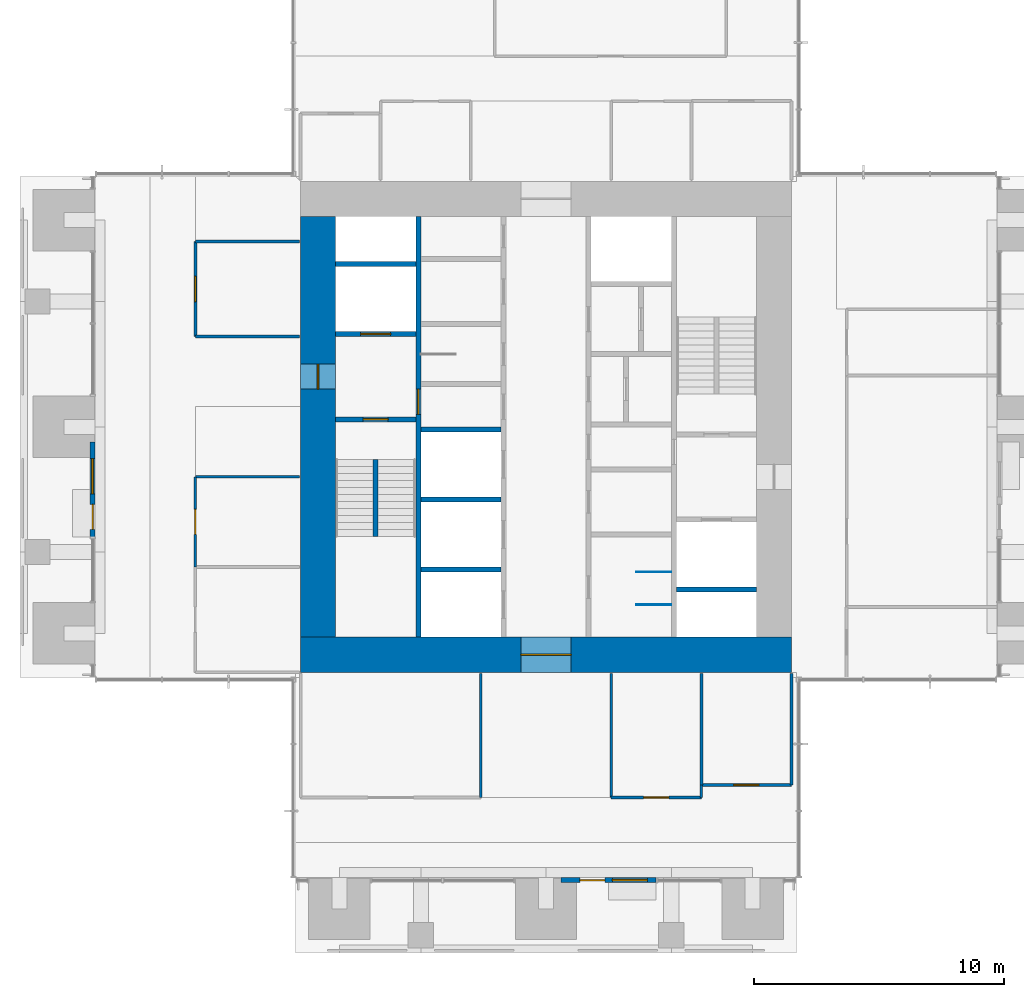
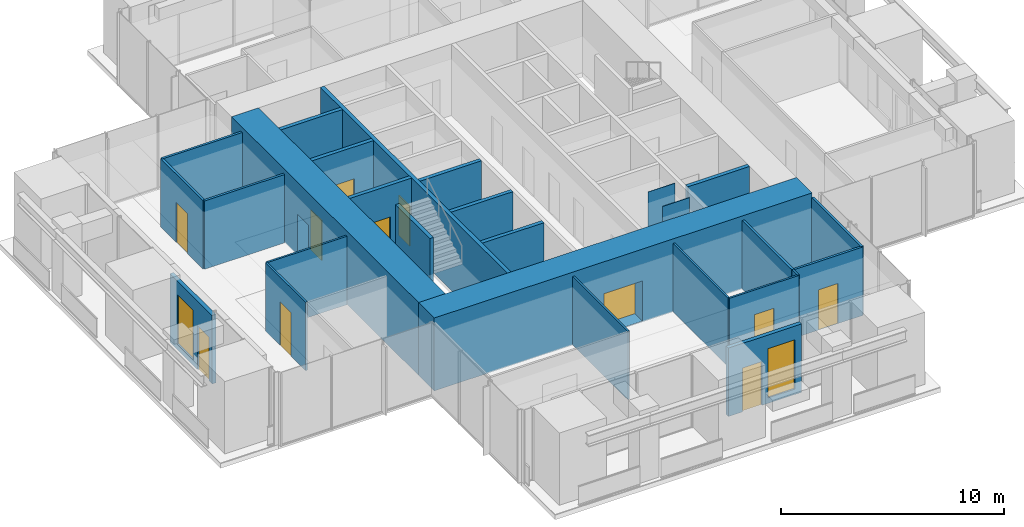
# One storey, part 12 of 17: 27 walls, 11 doors, 2 windows, 13 openings.
"""IFC4 building model written with IfcOpenShell, lengths in metres."""

from ifc_helpers import new_model, si_unit, direction, frame, frame_2d, origin, place, context, subcontext, project, spatial, rectangle, extrude, material, layer, layer_set, type_object, element, fill, save


model = new_model("IFC4")

# Units and contexts
model_context = context("Model", 3, precision=1e-05, world=origin(), true_north=direction((0.0, 1.0)))
body_context = subcontext(model_context, "Body", "Model", "MODEL_VIEW")
ifc_project = project(units=[si_unit("LENGTHUNIT", "METRE"), si_unit("AREAUNIT", "SQUARE_METRE"), si_unit("VOLUMEUNIT", "CUBIC_METRE"), si_unit("PLANEANGLEUNIT", "RADIAN"), si_unit("MASSUNIT", "GRAM", prefix="KILO")], contexts=[model_context])

# Site, building, storey
site_placement = place(None, origin())
site = spatial("IfcSite", under=ifc_project, at=site_placement, CompositionType="ELEMENT")
building_placement = place(site_placement, origin())
building = spatial("IfcBuilding", under=site, at=building_placement, Name="Svetlomir Tower", CompositionType="ELEMENT")
storey_placement = place(building_placement, frame((0.0, 0.0, 178.5)))
storey = spatial("IfcBuildingStorey", under=building, at=storey_placement, Name="L42", CompositionType="ELEMENT", Elevation=178.5)

# Wall, openings, door, window
ifc_material_1 = material(Name="Bronze anodised aluminium glazed screen", Category="aluminium")
ifc_layer_1 = layer(ifc_material_1, 0.199951171875)
ifc_layer_set_1 = layer_set([ifc_layer_1], Name="Bronze anodised aluminium glazed screen")
wall_type_1 = type_object("IfcWallType", Name="BALCONY SCREEN WALL 200", PredefinedType="USERDEFINED", material=ifc_layer_set_1)
wall_1_placement = place(storey_placement, frame((21.60009765625, 2.89990234375, 0.0), z_axis=(0.0, 0.0, 1.0), x_axis=(1.0, 0.0, 0.0)))
wall_1 = element("IfcWall", 1, at=wall_1_placement, inside=storey, type_object=wall_type_1, Name="Balcony screen S", ObjectType="GLAZED SCREEN", PredefinedType="USERDEFINED", context=body_context, shape_type="SweptSolid", body=[
    extrude(rectangle(XDim=3.7998046875, YDim=0.199951171875, at=frame_2d((1.89990234375, 0.0))), origin(), (0.0, 0.0, 1.0), 3.75),
])
opening_1_placement = place(wall_1_placement, frame((0.75, 0.0, 0.0)))
opening_1 = element("IfcOpeningElement", 2, at=opening_1_placement, cuts=wall_1, Name="Opening BD", PredefinedType="OPENING", context=body_context, shape_type="SweptSolid", body=[
    extrude(rectangle(XDim=1.0, YDim=2.39990234375, at=frame_2d((0.5, 1.199951171875))), frame((0.0, 0.10986328125, 0.0), z_axis=(0.0, -1.0, 0.0), x_axis=(1.0, 0.0, 0.0)), (0.0, 0.0, 1.0), 0.219970703125),
])
opening_2_placement = place(wall_1_placement, frame((2.050048828125, 0.0, 0.300048828125)))
opening_2 = element("IfcOpeningElement", 3, at=opening_2_placement, cuts=wall_1, Name="Opening WS2", PredefinedType="OPENING", context=body_context, shape_type="SweptSolid", body=[
    extrude(rectangle(XDim=1.39990234375, YDim=2.699951171875, at=frame_2d((0.699951171875, 1.35009765625))), frame((0.0, 0.10986328125, 0.0), z_axis=(0.0, -1.0, 0.0), x_axis=(1.0, 0.0, 0.0)), (0.0, 0.0, 1.0), 0.219970703125),
])
ifc_material_2 = material(Name="Bronze anodised aluminium glazed door", Category="aluminium")
door_type_1 = type_object("IfcDoorType", Name="BALCONY DOOR BD 1000x2400", OperationType="SINGLE_SWING_LEFT", PredefinedType="DOOR", material=ifc_material_2)
door_1_placement = place(opening_1_placement, origin())
door_1 = element("IfcDoor", 4, at=door_1_placement, inside=storey, type_object=door_type_1, Name="Balcony screen S door", OperationType="SINGLE_SWING_LEFT", OverallHeight=2.39990234375, OverallWidth=1.0, PredefinedType="DOOR", context=body_context, shape_type="SweptSolid", body=[
    extrude(rectangle(XDim=1.0, YDim=2.39990234375, at=frame_2d((0.5, 1.199951171875))), frame((0.0, 0.02490234375, 0.0), z_axis=(0.0, -1.0, 0.0), x_axis=(1.0, 0.0, 0.0)), (0.0, 0.0, 1.0), 0.050048828125),
])
fill(opening_1, door_1)
ifc_material_3 = material(Name="Bronze anodised aluminium window", Category="aluminium")
window_type = type_object("IfcWindowType", Name="SCREEN WINDOW WS2 1400x2700", PartitioningType="SINGLE_PANEL", PredefinedType="WINDOW", material=ifc_material_3)
window_1_placement = place(opening_2_placement, origin())
window_1 = element("IfcWindow", 5, at=window_1_placement, inside=storey, type_object=window_type, Name="Balcony screen S window 1", OverallHeight=2.699951171875, OverallWidth=1.39990234375, PartitioningType="SINGLE_PANEL", PredefinedType="WINDOW", context=body_context, shape_type="SweptSolid", body=[
    extrude(rectangle(XDim=1.39990234375, YDim=2.699951171875, at=frame_2d((0.699951171875, 1.35009765625))), frame((0.0, 0.030029296875, 0.0), z_axis=(0.0, -1.0, 0.0), x_axis=(1.0, 0.0, 0.0)), (0.0, 0.0, 1.0), 0.06005859375),
])
fill(opening_2, window_1)

wall_2_placement = place(storey_placement, frame((2.89990234375, 20.39990234375, 0.0), z_axis=(0.0, 0.0, 1.0), x_axis=(0.0, -1.0, 0.0)))
wall_2 = element("IfcWall", 6, at=wall_2_placement, inside=storey, type_object=wall_type_1, Name="Balcony screen W", ObjectType="GLAZED SCREEN", PredefinedType="USERDEFINED", context=body_context, shape_type="SweptSolid", body=[
    extrude(rectangle(XDim=3.7998046875, YDim=0.199951171875, at=frame_2d((1.89990234375, 0.0))), origin(), (0.0, 0.0, 1.0), 3.75),
])
opening_3_placement = place(wall_2_placement, frame((2.5, 0.0, 0.0)))
opening_3 = element("IfcOpeningElement", 7, at=opening_3_placement, cuts=wall_2, Name="Opening BD", PredefinedType="OPENING", context=body_context, shape_type="SweptSolid", body=[
    extrude(rectangle(XDim=1.0, YDim=2.39990234375, at=frame_2d((0.5, 1.199951171875))), frame((0.0, 0.10986328125, 0.0), z_axis=(0.0, -1.0, 0.0), x_axis=(1.0, 0.0, 0.0)), (0.0, 0.0, 1.0), 0.219970703125),
])
opening_4_placement = place(wall_2_placement, frame((0.675048828125, 0.0, 0.300048828125)))
opening_4 = element("IfcOpeningElement", 8, at=opening_4_placement, cuts=wall_2, Name="Opening WS2", PredefinedType="OPENING", context=body_context, shape_type="SweptSolid", body=[
    extrude(rectangle(XDim=1.39990234375, YDim=2.699951171875, at=frame_2d((0.699951171875, 1.35009765625))), frame((0.0, 0.10986328125, 0.0), z_axis=(0.0, -1.0, 0.0), x_axis=(1.0, 0.0, 0.0)), (0.0, 0.0, 1.0), 0.219970703125),
])
door_2_placement = place(opening_3_placement, origin())
door_2 = element("IfcDoor", 9, at=door_2_placement, inside=storey, type_object=door_type_1, Name="Balcony screen W door", OperationType="SINGLE_SWING_LEFT", OverallHeight=2.39990234375, OverallWidth=1.0, PredefinedType="DOOR", context=body_context, shape_type="SweptSolid", body=[
    extrude(rectangle(XDim=1.0, YDim=2.39990234375, at=frame_2d((0.5, 1.199951171875))), frame((0.0, 0.02490234375, 0.0), z_axis=(0.0, -1.0, 0.0), x_axis=(1.0, 0.0, 0.0)), (0.0, 0.0, 1.0), 0.050048828125),
])
fill(opening_3, door_2)
window_2_placement = place(opening_4_placement, origin())
window_2 = element("IfcWindow", 10, at=window_2_placement, inside=storey, type_object=window_type, Name="Balcony screen W window 1", OverallHeight=2.699951171875, OverallWidth=1.39990234375, PartitioningType="SINGLE_PANEL", PredefinedType="WINDOW", context=body_context, shape_type="SweptSolid", body=[
    extrude(rectangle(XDim=1.39990234375, YDim=2.699951171875, at=frame_2d((0.699951171875, 1.35009765625))), frame((0.0, 0.030029296875, 0.0), z_axis=(0.0, -1.0, 0.0), x_axis=(1.0, 0.0, 0.0)), (0.0, 0.0, 1.0), 0.06005859375),
])
fill(opening_4, window_2)

# Wall, opening, door
ifc_material_4 = material(Name="Concrete C60/75", Category="concrete")
ifc_layer_2 = layer(ifc_material_4, 0.199951171875)
ifc_layer_set_2 = layer_set([ifc_layer_2], Name="Concrete C60/75")
wall_type_2 = type_object("IfcWallType", Name="CORE INNER WALL 200", PredefinedType="SHEAR", material=ifc_layer_set_2)
wall_3_placement = place(storey_placement, frame((15.89990234375, 12.60009765625, -0.050048828125), z_axis=(0.0, 0.0, 1.0), x_axis=(0.0, 1.0, 0.0)))
wall_3 = element("IfcWall", 11, at=wall_3_placement, inside=storey, type_object=wall_type_2, Name="Core inner wall 15.9 L42", PredefinedType="SHEAR", context=body_context, shape_type="SweptSolid", body=[
    extrude(rectangle(XDim=16.7998046875, YDim=0.199951171875, at=frame_2d((8.39990234375, 0.0))), origin(), (0.0, 0.0, 1.0), 4.0),
])
opening_5_placement = place(wall_3_placement, frame((8.89990234375, 0.0, 0.050048828125)))
opening_5 = element("IfcOpeningElement", 12, at=opening_5_placement, cuts=wall_3, Name="Opening DF", PredefinedType="OPENING", context=body_context, shape_type="SweptSolid", body=[
    extrude(rectangle(XDim=1.0, YDim=2.199951171875, at=frame_2d((0.5, 1.10009765625))), frame((0.0, 0.10986328125, 0.0), z_axis=(0.0, -1.0, 0.0), x_axis=(1.0, 0.0, 0.0)), (0.0, 0.0, 1.0), 0.219970703125),
])
ifc_material_5 = material(Name="Steel fire door", Category="steel")
door_type_2 = type_object("IfcDoorType", Name="DOOR DF 1000x2200", OperationType="SINGLE_SWING_LEFT", PredefinedType="DOOR", material=ifc_material_5)
door_3_placement = place(opening_5_placement, origin())
door_3 = element("IfcDoor", 13, at=door_3_placement, inside=storey, type_object=door_type_2, Name="Core corridor west door L42", OperationType="SINGLE_SWING_LEFT", OverallHeight=2.199951171875, OverallWidth=1.0, PredefinedType="DOOR", context=body_context, shape_type="SweptSolid", body=[
    extrude(rectangle(XDim=1.0, YDim=2.199951171875, at=frame_2d((0.5, 1.10009765625))), frame((0.0, 0.02490234375, 0.0), z_axis=(0.0, -1.0, 0.0), x_axis=(1.0, 0.0, 0.0)), (0.0, 0.0, 1.0), 0.050048828125),
])
fill(opening_5, door_3)

wall_4_placement = place(storey_placement, frame((12.60009765625, 21.300048828125, -0.050048828125), z_axis=(0.0, 0.0, 1.0), x_axis=(1.0, 0.0, 0.0)))
wall_4 = element("IfcWall", 14, at=wall_4_placement, inside=storey, type_object=wall_type_2, Name="Core inner wall 12.6-15.8/21.3 L42", PredefinedType="SHEAR", context=body_context, shape_type="SweptSolid", body=[
    extrude(rectangle(XDim=3.199951171875, YDim=0.199951171875, at=frame_2d((1.60009765625, 0.0))), origin(), (0.0, 0.0, 1.0), 4.0),
])
opening_6_placement = place(wall_4_placement, frame((1.10009765625, 0.0, 0.050048828125)))
opening_6 = element("IfcOpeningElement", 15, at=opening_6_placement, cuts=wall_4, Name="Opening DF", PredefinedType="OPENING", context=body_context, shape_type="SweptSolid", body=[
    extrude(rectangle(XDim=1.0, YDim=2.199951171875, at=frame_2d((0.5, 1.10009765625))), frame((0.0, 0.10986328125, 0.0), z_axis=(0.0, -1.0, 0.0), x_axis=(1.0, 0.0, 0.0)), (0.0, 0.0, 1.0), 0.219970703125),
])
door_4_placement = place(opening_6_placement, origin())
door_4 = element("IfcDoor", 16, at=door_4_placement, inside=storey, type_object=door_type_2, Name="Stair S1 door L42", OperationType="SINGLE_SWING_LEFT", OverallHeight=2.199951171875, OverallWidth=1.0, PredefinedType="DOOR", context=body_context, shape_type="SweptSolid", body=[
    extrude(rectangle(XDim=1.0, YDim=2.199951171875, at=frame_2d((0.5, 1.10009765625))), frame((0.0, 0.02490234375, 0.0), z_axis=(0.0, -1.0, 0.0), x_axis=(1.0, 0.0, 0.0)), (0.0, 0.0, 1.0), 0.050048828125),
])
fill(opening_6, door_4)

wall_5_placement = place(storey_placement, frame((12.60009765625, 24.699951171875, -0.050048828125), z_axis=(0.0, 0.0, 1.0), x_axis=(1.0, 0.0, 0.0)))
wall_5 = element("IfcWall", 17, at=wall_5_placement, inside=storey, type_object=wall_type_2, Name="Core inner wall 12.6-15.8/24.7 L42", PredefinedType="SHEAR", context=body_context, shape_type="SweptSolid", body=[
    extrude(rectangle(XDim=3.199951171875, YDim=0.199951171875, at=frame_2d((1.60009765625, 0.0))), origin(), (0.0, 0.0, 1.0), 4.0),
])
opening_7_placement = place(wall_5_placement, frame((1.0, 0.0, 0.050048828125)))
opening_7 = element("IfcOpeningElement", 18, at=opening_7_placement, cuts=wall_5, Name="Opening LD3", PredefinedType="OPENING", context=body_context, shape_type="SweptSolid", body=[
    extrude(rectangle(XDim=1.199951171875, YDim=2.199951171875, at=frame_2d((0.60009765625, 1.10009765625))), frame((0.0, 0.10986328125, 0.0), z_axis=(0.0, -1.0, 0.0), x_axis=(1.0, 0.0, 0.0)), (0.0, 0.0, 1.0), 0.219970703125),
])
ifc_material_6 = material(Name="Stainless steel fire-rated landing door", Category="steel")
door_type_3 = type_object("IfcDoorType", Name="FIREFIGHTING LIFT LANDING DOOR LD3 1200x2200", OperationType="DOUBLE_DOOR_SLIDING", PredefinedType="DOOR", material=ifc_material_6)
door_5_placement = place(opening_7_placement, origin())
door_5 = element("IfcDoor", 19, at=door_5_placement, inside=storey, type_object=door_type_3, Name="Landing door lift FL1 L42", OperationType="DOUBLE_DOOR_SLIDING", OverallHeight=2.199951171875, OverallWidth=1.199951171875, PredefinedType="DOOR", context=body_context, shape_type="SweptSolid", body=[
    extrude(rectangle(XDim=1.199951171875, YDim=2.199951171875, at=frame_2d((0.60009765625, 1.10009765625))), frame((0.0, 0.02490234375, 0.0), z_axis=(0.0, -1.0, 0.0), x_axis=(1.0, 0.0, 0.0)), (0.0, 0.0, 1.0), 0.050048828125),
])
fill(opening_7, door_5)

# Walls
for number, where, z_axis, x_axis, name in (
    (20, (12.60009765625, 27.5, -0.050048828125), (0.0, 0.0, 1.0), (1.0, 0.0, 0.0), "Core inner wall 12.6-15.8/27.5 L42"),
    (21, (16.0, 15.300048828125, -0.050048828125), (0.0, 0.0, 1.0), (1.0, 0.0, 0.0), "Core inner wall 16-19.2/15.3 L42"),
    (22, (16.0, 18.10009765625, -0.050048828125), (0.0, 0.0, 1.0), (1.0, 0.0, 0.0), "Core inner wall 16-19.2/18.1 L42"),
    (23, (16.0, 20.89990234375, -0.050048828125), (0.0, 0.0, 1.0), (1.0, 0.0, 0.0), "Core inner wall 16-19.2/20.9 L42"),
    (24, (26.199951171875, 14.5, -0.050048828125), (0.0, 0.0, 1.0), (1.0, 0.0, 0.0), "Core inner wall 26.2-29.4/14.5 L42"),
):
    element("IfcWall", number, at=place(storey_placement, frame(where, z_axis=z_axis, x_axis=x_axis)), inside=storey, type_object=wall_type_2, Name=name, PredefinedType="SHEAR", context=body_context, shape_type="SweptSolid", body=[
        extrude(rectangle(XDim=3.199951171875, YDim=0.199951171875, at=frame_2d((1.60009765625, 0.0))), origin(), (0.0, 0.0, 1.0), 4.0),
    ])

# Wall, opening, door
ifc_material_7 = material(Name="Concrete C60/75", Category="concrete")
ifc_layer_3 = layer(ifc_material_7, 1.39990234375)
ifc_layer_set_3 = layer_set([ifc_layer_3], Name="Concrete C60/75")
wall_type_3 = type_object("IfcWallType", Name="CORE WALL 1400", PredefinedType="SHEAR", material=ifc_layer_set_3)
wall_6_placement = place(storey_placement, frame((11.199951171875, 11.89990234375, -0.050048828125), z_axis=(0.0, 0.0, 1.0), x_axis=(1.0, 0.0, 0.0)))
wall_6 = element("IfcWall", 25, at=wall_6_placement, inside=storey, type_object=wall_type_3, Name="Core wall south L42", PredefinedType="SHEAR", context=body_context, shape_type="SweptSolid", body=[
    extrude(rectangle(XDim=19.60009765625, YDim=1.39990234375, at=frame_2d((9.800048828125, 0.0))), origin(), (0.0, 0.0, 1.0), 4.0),
])
opening_8_placement = place(wall_6_placement, frame((8.800048828125, 0.0, 0.050048828125)))
opening_8 = element("IfcOpeningElement", 26, at=opening_8_placement, cuts=wall_6, Name="Opening DL", PredefinedType="OPENING", context=body_context, shape_type="SweptSolid", body=[
    extrude(rectangle(XDim=2.0, YDim=2.199951171875, at=frame_2d((1.0, 1.10009765625))), frame((0.0, 0.7099609375, 0.0), z_axis=(0.0, -1.0, 0.0), x_axis=(1.0, 0.0, 0.0)), (0.0, 0.0, 1.0), 1.419921875),
])
ifc_material_8 = material(Name="Steel fire door", Category="steel")
door_type_4 = type_object("IfcDoorType", Name="DOOR DL 2000x2200", OperationType="DOUBLE_DOOR_SINGLE_SWING", PredefinedType="DOOR", material=ifc_material_8)
door_6_placement = place(opening_8_placement, origin())
door_6 = element("IfcDoor", 27, at=door_6_placement, inside=storey, type_object=door_type_4, Name="Lift lobby south door L42", OperationType="DOUBLE_DOOR_SINGLE_SWING", OverallHeight=2.199951171875, OverallWidth=2.0, PredefinedType="DOOR", context=body_context, shape_type="SweptSolid", body=[
    extrude(rectangle(XDim=2.0, YDim=2.199951171875, at=frame_2d((1.0, 1.10009765625))), frame((0.0, 0.02490234375, 0.0), z_axis=(0.0, -1.0, 0.0), x_axis=(1.0, 0.0, 0.0)), (0.0, 0.0, 1.0), 0.050048828125),
])
fill(opening_8, door_6)

wall_7_placement = place(storey_placement, frame((11.89990234375, 12.60009765625, -0.050048828125), z_axis=(0.0, 0.0, 1.0), x_axis=(0.0, 1.0, 0.0)))
wall_7 = element("IfcWall", 28, at=wall_7_placement, inside=storey, type_object=wall_type_3, Name="Core wall west L42", PredefinedType="SHEAR", context=body_context, shape_type="SweptSolid", body=[
    extrude(rectangle(XDim=16.7998046875, YDim=1.39990234375, at=frame_2d((8.39990234375, 0.0))), origin(), (0.0, 0.0, 1.0), 4.0),
])
opening_9_placement = place(wall_7_placement, frame((9.89990234375, 0.0, 0.050048828125)))
opening_9 = element("IfcOpeningElement", 29, at=opening_9_placement, cuts=wall_7, Name="Opening DF", PredefinedType="OPENING", context=body_context, shape_type="SweptSolid", body=[
    extrude(rectangle(XDim=1.0, YDim=2.199951171875, at=frame_2d((0.5, 1.10009765625))), frame((0.0, 0.7099609375, 0.0), z_axis=(0.0, -1.0, 0.0), x_axis=(1.0, 0.0, 0.0)), (0.0, 0.0, 1.0), 1.419921875),
])
door_7_placement = place(opening_9_placement, origin())
door_7 = element("IfcDoor", 30, at=door_7_placement, inside=storey, type_object=door_type_2, Name="Firefighting lobby west door L42", OperationType="SINGLE_SWING_LEFT", OverallHeight=2.199951171875, OverallWidth=1.0, PredefinedType="DOOR", context=body_context, shape_type="SweptSolid", body=[
    extrude(rectangle(XDim=1.0, YDim=2.199951171875, at=frame_2d((0.5, 1.10009765625))), frame((0.0, 0.02490234375, 0.0), z_axis=(0.0, -1.0, 0.0), x_axis=(1.0, 0.0, 0.0)), (0.0, 0.0, 1.0), 0.050048828125),
])
fill(opening_9, door_7)

ifc_material_9 = material(Name="Framed laminated glass partition", Category="glass")
ifc_layer_4 = layer(ifc_material_9, 0.10009765625)
ifc_layer_set_4 = layer_set([ifc_layer_4], Name="Framed laminated glass partition")
wall_type_4 = type_object("IfcWallType", Name="GLAZED PARTITION 100", PredefinedType="PARTITIONING", material=ifc_layer_set_4)
wall_8_placement = place(storey_placement, frame((7.0, 15.39990234375, 0.0), z_axis=(0.0, 0.0, 1.0), x_axis=(0.0, 1.0, 0.0)))
wall_8 = element("IfcWall", 31, at=wall_8_placement, inside=storey, type_object=wall_type_4, Name="Glazed partition L42", PredefinedType="PARTITIONING", context=body_context, shape_type="SweptSolid", body=[
    extrude(rectangle(XDim=3.60009765625, YDim=0.10009765625, at=frame_2d((1.800048828125, 0.0))), origin(), (0.0, 0.0, 1.0), 3.75),
])
opening_10_placement = place(wall_8_placement, frame((1.300048828125, 0.0, 0.0)))
opening_10 = element("IfcOpeningElement", 32, at=opening_10_placement, cuts=wall_8, Name="Opening DG", PredefinedType="OPENING", context=body_context, shape_type="SweptSolid", body=[
    extrude(rectangle(XDim=1.0, YDim=2.39990234375, at=frame_2d((0.5, 1.199951171875))), frame((0.0, 0.06005859375, 0.0), z_axis=(0.0, -1.0, 0.0), x_axis=(1.0, 0.0, 0.0)), (0.0, 0.0, 1.0), 0.1201171875),
])
ifc_material_10 = material(Name="Framed laminated glass door", Category="glass")
door_type_5 = type_object("IfcDoorType", Name="GLAZED DOOR DG 1000x2400", OperationType="SINGLE_SWING_LEFT", PredefinedType="DOOR", material=ifc_material_10)
door_8_placement = place(opening_10_placement, origin())
door_8 = element("IfcDoor", 33, at=door_8_placement, inside=storey, type_object=door_type_5, Name="Focus room 2 door L42", OperationType="SINGLE_SWING_RIGHT", OverallHeight=2.39990234375, OverallWidth=1.0, PredefinedType="DOOR", context=body_context, shape_type="SweptSolid", body=[
    extrude(rectangle(XDim=1.0, YDim=2.39990234375, at=frame_2d((0.5, 1.199951171875))), frame((0.0, 0.02490234375, 0.0), z_axis=(0.0, -1.0, 0.0), x_axis=(1.0, 0.0, 0.0)), (0.0, 0.0, 1.0), 0.050048828125),
])
fill(opening_10, door_8)

# Walls
wall_9_placement = place(storey_placement, frame((7.0, 19.0, 0.0), z_axis=(0.0, 0.0, 1.0), x_axis=(1.0, 0.0, 0.0)))
element("IfcWall", 34, at=wall_9_placement, inside=storey, type_object=wall_type_4, Name="Glazed partition L42", PredefinedType="PARTITIONING", context=body_context, shape_type="SweptSolid", body=[
    extrude(rectangle(XDim=4.14990234375, YDim=0.10009765625, at=frame_2d((2.074951171875, 0.0))), origin(), (0.0, 0.0, 1.0), 3.75),
])
for number, where, z_axis, x_axis, name in (
    (35, (18.39990234375, 6.199951171875, 0.0), (0.0, 0.0, 1.0), (0.0, 1.0, 0.0), "Glazed partition L42"),
    (36, (23.60009765625, 6.199951171875, 0.0), (0.0, 0.0, 1.0), (0.0, 1.0, 0.0), "Glazed partition L42"),
):
    element("IfcWall", number, at=place(storey_placement, frame(where, z_axis=z_axis, x_axis=x_axis)), inside=storey, type_object=wall_type_4, Name=name, PredefinedType="PARTITIONING", context=body_context, shape_type="SweptSolid", body=[
        extrude(rectangle(XDim=4.949951171875, YDim=0.10009765625, at=frame_2d((2.47509765625, 0.0))), origin(), (0.0, 0.0, 1.0), 3.75),
    ])

# Wall, opening, door
wall_10_placement = place(storey_placement, frame((23.60009765625, 6.199951171875, 0.0), z_axis=(0.0, 0.0, 1.0), x_axis=(1.0, 0.0, 0.0)))
wall_10 = element("IfcWall", 37, at=wall_10_placement, inside=storey, type_object=wall_type_4, Name="Glazed partition L42", PredefinedType="PARTITIONING", context=body_context, shape_type="SweptSolid", body=[
    extrude(rectangle(XDim=3.599853515625, YDim=0.10009765625, at=frame_2d((1.7998046875, 0.0))), origin(), (0.0, 0.0, 1.0), 3.75),
])
opening_11_placement = place(wall_10_placement, frame((1.300048828125, 0.0, 0.0)))
opening_11 = element("IfcOpeningElement", 38, at=opening_11_placement, cuts=wall_10, Name="Opening DG", PredefinedType="OPENING", context=body_context, shape_type="SweptSolid", body=[
    extrude(rectangle(XDim=1.0, YDim=2.39990234375, at=frame_2d((0.5, 1.199951171875))), frame((0.0, 0.06005859375, 0.0), z_axis=(0.0, -1.0, 0.0), x_axis=(1.0, 0.0, 0.0)), (0.0, 0.0, 1.0), 0.1201171875),
])
door_9_placement = place(opening_11_placement, origin())
door_9 = element("IfcDoor", 39, at=door_9_placement, inside=storey, type_object=door_type_5, Name="Focus room 1 door L42", OperationType="SINGLE_SWING_LEFT", OverallHeight=2.39990234375, OverallWidth=1.0, PredefinedType="DOOR", context=body_context, shape_type="SweptSolid", body=[
    extrude(rectangle(XDim=1.0, YDim=2.39990234375, at=frame_2d((0.5, 1.199951171875))), frame((0.0, 0.02490234375, 0.0), z_axis=(0.0, -1.0, 0.0), x_axis=(1.0, 0.0, 0.0)), (0.0, 0.0, 1.0), 0.050048828125),
])
fill(opening_11, door_9)

# Wall
wall_11_placement = place(storey_placement, frame((27.199951171875, 6.199951171875, 0.0), z_axis=(0.0, 0.0, 1.0), x_axis=(0.0, 1.0, 0.0)))
element("IfcWall", 40, at=wall_11_placement, inside=storey, type_object=wall_type_4, Name="Glazed partition L42", PredefinedType="PARTITIONING", context=body_context, shape_type="SweptSolid", body=[
    extrude(rectangle(XDim=0.5, YDim=0.10009765625, at=frame_2d((0.25, 0.0))), origin(), (0.0, 0.0, 1.0), 3.75),
])

# Wall, opening, door
ifc_material_11 = material(Name="Gypsum board on steel studs", Category="steel")
ifc_layer_5 = layer(ifc_material_11, 0.1201171875)
ifc_layer_set_5 = layer_set([ifc_layer_5], Name="Gypsum board on steel studs")
wall_type_5 = type_object("IfcWallType", Name="PARTITION 120", PredefinedType="PARTITIONING", material=ifc_layer_set_5)
wall_12_placement = place(storey_placement, frame((7.0, 24.60009765625, 0.0), z_axis=(0.0, 0.0, 1.0), x_axis=(0.0, 1.0, 0.0)))
wall_12 = element("IfcWall", 41, at=wall_12_placement, inside=storey, type_object=wall_type_5, Name="Partition L42", PredefinedType="PARTITIONING", context=body_context, shape_type="SweptSolid", body=[
    extrude(rectangle(XDim=3.7998046875, YDim=0.1201171875, at=frame_2d((1.89990234375, 0.0))), origin(), (0.0, 0.0, 1.0), 3.75),
])
opening_12_placement = place(wall_12_placement, frame((1.39990234375, 0.0, 0.0)))
opening_12 = element("IfcOpeningElement", 42, at=opening_12_placement, cuts=wall_12, Name="Opening DR", PredefinedType="OPENING", context=body_context, shape_type="SweptSolid", body=[
    extrude(rectangle(XDim=1.0, YDim=2.199951171875, at=frame_2d((0.5, 1.10009765625))), frame((0.0, 0.070068359375, 0.0), z_axis=(0.0, -1.0, 0.0), x_axis=(1.0, 0.0, 0.0)), (0.0, 0.0, 1.0), 0.14013671875),
])
ifc_material_12 = material(Name="Timber door, glazed side light", Category="wood")
door_type_6 = type_object("IfcDoorType", Name="DOOR DR 1000x2200", OperationType="SINGLE_SWING_LEFT", PredefinedType="DOOR", material=ifc_material_12)
door_10_placement = place(opening_12_placement, origin())
door_10 = element("IfcDoor", 43, at=door_10_placement, inside=storey, type_object=door_type_6, Name="Data analysts office door L42", OperationType="SINGLE_SWING_LEFT", OverallHeight=2.199951171875, OverallWidth=1.0, PredefinedType="DOOR", context=body_context, shape_type="SweptSolid", body=[
    extrude(rectangle(XDim=1.0, YDim=2.199951171875, at=frame_2d((0.5, 1.10009765625))), frame((0.0, 0.02490234375, 0.0), z_axis=(0.0, -1.0, 0.0), x_axis=(1.0, 0.0, 0.0)), (0.0, 0.0, 1.0), 0.050048828125),
])
fill(opening_12, door_10)

# Walls
for number, where, z_axis, x_axis, name in (
    (44, (7.0, 24.60009765625, 0.0), (0.0, 0.0, 1.0), (1.0, 0.0, 0.0), "Partition L42"),
    (45, (7.0, 28.39990234375, 0.0), (0.0, 0.0, 1.0), (1.0, 0.0, 0.0), "Partition L42"),
):
    element("IfcWall", number, at=place(storey_placement, frame(where, z_axis=z_axis, x_axis=x_axis)), inside=storey, type_object=wall_type_5, Name=name, PredefinedType="PARTITIONING", context=body_context, shape_type="SweptSolid", body=[
        extrude(rectangle(XDim=4.14990234375, YDim=0.1201171875, at=frame_2d((2.074951171875, 0.0))), origin(), (0.0, 0.0, 1.0), 3.75),
    ])
wall_13_placement = place(storey_placement, frame((27.199951171875, 6.699951171875, 0.0), z_axis=(0.0, 0.0, 1.0), x_axis=(0.0, 1.0, 0.0)))
element("IfcWall", 46, at=wall_13_placement, inside=storey, type_object=wall_type_5, Name="Partition L42", PredefinedType="PARTITIONING", context=body_context, shape_type="SweptSolid", body=[
    extrude(rectangle(XDim=4.449951171875, YDim=0.1201171875, at=frame_2d((2.22509765625, 0.0))), origin(), (0.0, 0.0, 1.0), 3.75),
])

# Wall, opening, door
wall_14_placement = place(storey_placement, frame((27.199951171875, 6.699951171875, 0.0), z_axis=(0.0, 0.0, 1.0), x_axis=(1.0, 0.0, 0.0)))
wall_14 = element("IfcWall", 47, at=wall_14_placement, inside=storey, type_object=wall_type_5, Name="Partition L42", PredefinedType="PARTITIONING", context=body_context, shape_type="SweptSolid", body=[
    extrude(rectangle(XDim=3.60009765625, YDim=0.1201171875, at=frame_2d((1.800048828125, 0.0))), origin(), (0.0, 0.0, 1.0), 3.75),
])
opening_13_placement = place(wall_14_placement, frame((1.300048828125, 0.0, 0.0)))
opening_13 = element("IfcOpeningElement", 48, at=opening_13_placement, cuts=wall_14, Name="Opening DR", PredefinedType="OPENING", context=body_context, shape_type="SweptSolid", body=[
    extrude(rectangle(XDim=1.0, YDim=2.199951171875, at=frame_2d((0.5, 1.10009765625))), frame((0.0, 0.070068359375, 0.0), z_axis=(0.0, -1.0, 0.0), x_axis=(1.0, 0.0, 0.0)), (0.0, 0.0, 1.0), 0.14013671875),
])
door_11_placement = place(opening_13_placement, origin())
door_11 = element("IfcDoor", 49, at=door_11_placement, inside=storey, type_object=door_type_6, Name="Print and copy room door L42", OperationType="SINGLE_SWING_RIGHT", OverallHeight=2.199951171875, OverallWidth=1.0, PredefinedType="DOOR", context=body_context, shape_type="SweptSolid", body=[
    extrude(rectangle(XDim=1.0, YDim=2.199951171875, at=frame_2d((0.5, 1.10009765625))), frame((0.0, 0.02490234375, 0.0), z_axis=(0.0, -1.0, 0.0), x_axis=(1.0, 0.0, 0.0)), (0.0, 0.0, 1.0), 0.050048828125),
])
fill(opening_13, door_11)

# Walls
wall_15_placement = place(storey_placement, frame((30.800048828125, 6.699951171875, 0.0), z_axis=(0.0, 0.0, 1.0), x_axis=(0.0, 1.0, 0.0)))
element("IfcWall", 50, at=wall_15_placement, inside=storey, type_object=wall_type_5, Name="Partition L42", PredefinedType="PARTITIONING", context=body_context, shape_type="SweptSolid", body=[
    extrude(rectangle(XDim=4.449951171875, YDim=0.1201171875, at=frame_2d((2.22509765625, 0.0))), origin(), (0.0, 0.0, 1.0), 3.75),
])
ifc_material_13 = material(Name="Concrete C60/75", Category="concrete")
ifc_layer_6 = layer(ifc_material_13, 0.199951171875)
ifc_layer_set_6 = layer_set([ifc_layer_6], Name="Concrete C60/75")
wall_type_6 = type_object("IfcWallType", Name="STAIR SPINE WALL 200", PredefinedType="PARTITIONING", material=ifc_layer_set_6)
wall_16_placement = place(storey_placement, frame((14.199951171875, 16.6201171875, 0.0), z_axis=(0.0, 0.0, 1.0), x_axis=(0.0, 1.0, 0.0)))
element("IfcWall", 51, at=wall_16_placement, inside=storey, type_object=wall_type_6, Name="Stair S1 spine wall L42", PredefinedType="PARTITIONING", context=body_context, shape_type="SweptSolid", body=[
    extrude(rectangle(XDim=3.079833984375, YDim=0.199951171875, at=frame_2d((1.5400390625, 0.0))), origin(), (0.0, 0.0, 1.0), 4.0),
])
ifc_material_14 = material(Name="Compact laminate panel", Category="plastic")
ifc_layer_7 = layer(ifc_material_14, 0.030029296875)
ifc_layer_set_7 = layer_set([ifc_layer_7], Name="Compact laminate panel")
wall_type_7 = type_object("IfcWallType", Name="WC CUBICLE PARTITION 30", PredefinedType="PARTITIONING", material=ifc_layer_set_7)
for number, where, z_axis, x_axis, name in (
    (52, (24.60009765625, 13.89990234375, 0.0), (0.0, 0.0, 1.0), (1.0, 0.0, 0.0), "WC cubicle partition L42"),
    (53, (24.60009765625, 15.199951171875, 0.0), (0.0, 0.0, 1.0), (1.0, 0.0, 0.0), "WC cubicle partition L42"),
):
    element("IfcWall", number, at=place(storey_placement, frame(where, z_axis=z_axis, x_axis=x_axis)), inside=storey, type_object=wall_type_7, Name=name, PredefinedType="PARTITIONING", context=body_context, shape_type="SweptSolid", body=[
        extrude(rectangle(XDim=1.39990234375, YDim=0.030029296875, at=frame_2d((0.699951171875, 0.0))), origin(), (0.0, 0.0, 1.0), 3.75),
    ])

save(model, "model.ifc")
